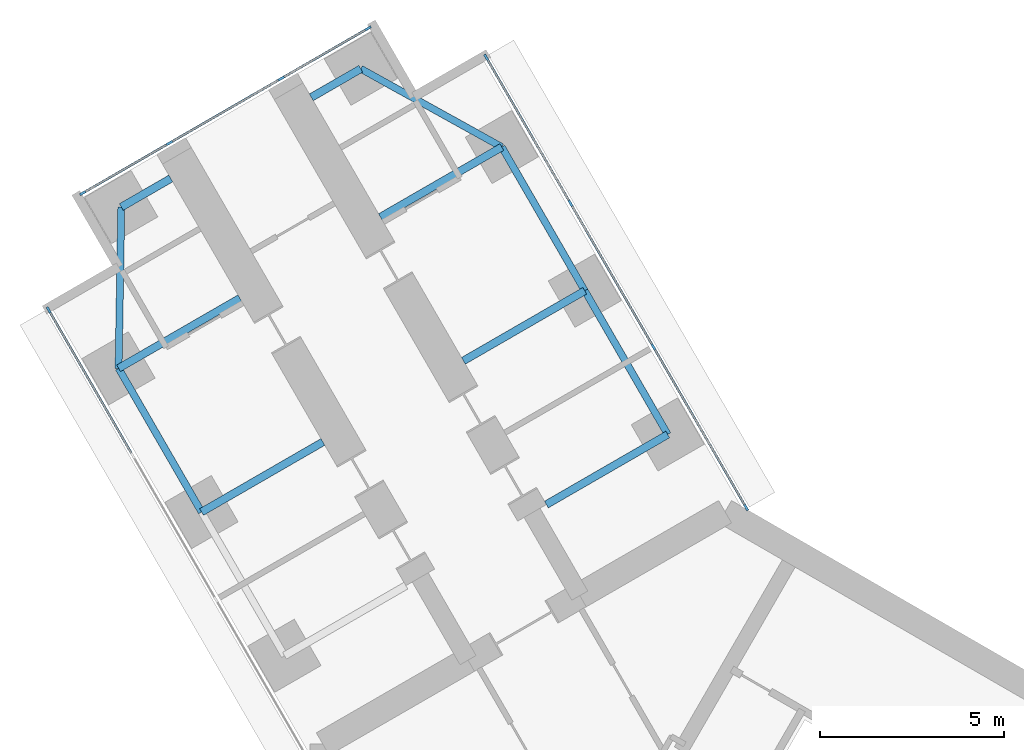
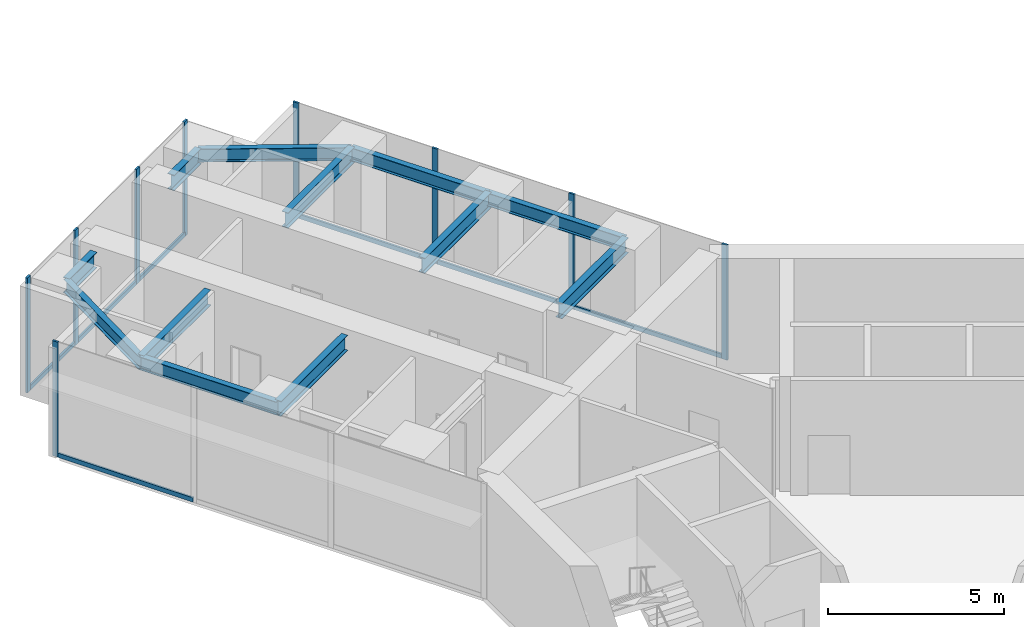
# One storey, part 7 of 24: 16 members, 12 beams, 3 elements without a shape of their own.
"""IFC4 building model written with IfcOpenShell, lengths in metres."""

from ifc_helpers import new_model, si_unit, direction, frame, origin, origin_2d, place, context, subcontext, project, spatial, rectangle, i_section, extrude, material, material_profile, profile_set, type_object, element, aggregate, save


model = new_model("IFC4")

# Units and contexts
model_context = context("Model", 3, precision=1e-05, world=origin(), true_north=direction((0.0, 1.0)))
body_context = subcontext(model_context, "Body", "Model", "MODEL_VIEW")
ifc_project = project(units=[si_unit("LENGTHUNIT", "METRE"), si_unit("AREAUNIT", "SQUARE_METRE"), si_unit("VOLUMEUNIT", "CUBIC_METRE"), si_unit("PLANEANGLEUNIT", "RADIAN"), si_unit("MASSUNIT", "GRAM", prefix="KILO")], contexts=[model_context])

# Site, building, storey
site_placement = place(None, origin())
site = spatial("IfcSite", under=ifc_project, at=site_placement, CompositionType="ELEMENT")
building_placement = place(site_placement, origin())
building = spatial("IfcBuilding", under=site, at=building_placement, Name="Upepo Twin Towers", CompositionType="ELEMENT")
storey_placement = place(building_placement, frame((0.0, 0.0, 48.5)))
storey = spatial("IfcBuildingStorey", under=building, at=storey_placement, Name="L11", CompositionType="ELEMENT", Elevation=48.5)

# Beams
ifc_material_1 = material(Name="Steel S355", Category="steel")
ifc_material_profile_1 = material_profile(ifc_material_1, i_section(OverallWidth=0.1904296875, OverallDepth=0.45703125, WebThickness=0.009033203125, FlangeThickness=0.014404296875, FilletRadius=0.01025390625, at=origin_2d()), Name="UB 457x191x74")
ifc_profile_set_1 = profile_set([ifc_material_profile_1], Name="Steel S355")
beam_type_1 = type_object("IfcBeamType", Name="Beam UB 457x191x74", PredefinedType="BEAM", material=ifc_profile_set_1)
beam_1_placement = place(storey_placement, frame((-14.196044921875, 12.58837890625, 3.571533203125), z_axis=(-0.499990139034, 0.866031096941, 0.0), x_axis=(-0.866031096941, -0.499990139034, 0.0)))
element("IfcBeam", 1, at=beam_1_placement, inside=storey, type_object=beam_type_1, Name="T1 edge beam BL 18.0-22.5", PredefinedType="BEAM", context=body_context, shape_type="SweptSolid", body=[
    extrude(i_section(OverallWidth=0.1904296875, OverallDepth=0.45703125, WebThickness=0.009033203125, FlangeThickness=0.014404296875, FilletRadius=0.01025390625, at=origin_2d()), origin(), (0.0, 0.0, 1.0), 4.5),
])
beam_2_placement = place(storey_placement, frame((-16.446044921875, 16.485595703125, 3.571533203125), z_axis=(0.016803880528, 0.999858804832, 0.0), x_axis=(-0.999858804832, 0.016803880528, 0.0)))
element("IfcBeam", 2, at=beam_2_placement, inside=storey, type_object=beam_type_1, Name="T1 nose edge beam BL", PredefinedType="BEAM", context=body_context, shape_type="SweptSolid", body=[
    extrude(i_section(OverallWidth=0.1904296875, OverallDepth=0.45703125, WebThickness=0.009033203125, FlangeThickness=0.014404296875, FilletRadius=0.01025390625, at=origin_2d()), origin(), (0.0, 0.0, 1.0), 4.373291015625),
])
beam_3_placement = place(storey_placement, frame((-1.553955078125, 14.69140625, 3.571533203125), z_axis=(-0.500013631625, 0.866017533419, 0.0), x_axis=(-0.866017533419, -0.500013631625, 0.0)))
element("IfcBeam", 3, at=beam_3_placement, inside=storey, type_object=beam_type_1, Name="T1 edge beam BR 13.5-18.0", PredefinedType="BEAM", context=body_context, shape_type="SweptSolid", body=[
    extrude(i_section(OverallWidth=0.1904296875, OverallDepth=0.45703125, WebThickness=0.009033203125, FlangeThickness=0.014404296875, FilletRadius=0.01025390625, at=origin_2d()), origin(), (0.0, 0.0, 1.0), 4.499755859375),
])
beam_4_placement = place(storey_placement, frame((-3.803955078125, 18.58837890625, 3.571533203125), z_axis=(-0.499990139034, 0.866031096941, 0.0), x_axis=(-0.866031096941, -0.499990139034, 0.0)))
element("IfcBeam", 4, at=beam_4_placement, inside=storey, type_object=beam_type_1, Name="T1 edge beam BR 18.0-22.5", PredefinedType="BEAM", context=body_context, shape_type="SweptSolid", body=[
    extrude(i_section(OverallWidth=0.1904296875, OverallDepth=0.45703125, WebThickness=0.009033203125, FlangeThickness=0.014404296875, FilletRadius=0.01025390625, at=origin_2d()), origin(), (0.0, 0.0, 1.0), 4.5),
])
beam_5_placement = place(storey_placement, frame((-6.053955078125, 22.485595703125, 3.571533203125), z_axis=(-0.874312600038, 0.485363242752, 0.0), x_axis=(-0.485363242752, -0.874312600038, 0.0)))
element("IfcBeam", 5, at=beam_5_placement, inside=storey, type_object=beam_type_1, Name="T1 nose edge beam BR", PredefinedType="BEAM", context=body_context, shape_type="SweptSolid", body=[
    extrude(i_section(OverallWidth=0.1904296875, OverallDepth=0.45703125, WebThickness=0.009033203125, FlangeThickness=0.014404296875, FilletRadius=0.01025390625, at=origin_2d()), origin(), (0.0, 0.0, 1.0), 4.373046875),
])
ifc_material_2 = material(Name="Steel S355", Category="steel")
ifc_material_profile_2 = material_profile(ifc_material_2, i_section(OverallWidth=0.2119140625, OverallDepth=0.54443359375, WebThickness=0.0126953125, FlangeThickness=0.021240234375, FilletRadius=0.0126953125, at=origin_2d()), Name="UB 533x210x122")
ifc_profile_set_2 = profile_set([ifc_material_profile_2], Name="Steel S355")
beam_type_2 = type_object("IfcBeamType", Name="Beam UB 533x210x122", PredefinedType="BEAM", material=ifc_profile_set_2)
for number, where, z_axis, x_axis, name in (
    (6, (-16.37255859375, 20.858154296875, 3.52783203125), (0.866043940782, 0.499967891604, 0.0), (-0.499967891604, 0.866043940782, 0.0), "T1 nose beam BL"),
    (7, (-9.87744140625, 24.608154296875, 3.52783203125), (-0.866043940782, -0.499967891604, 0.0), (0.499967891604, -0.866043940782, 0.0), "T1 nose beam BR"),
):
    element("IfcBeam", number, at=place(storey_placement, frame(where, z_axis=z_axis, x_axis=x_axis)), inside=storey, type_object=beam_type_2, Name=name, PredefinedType="BEAM", context=body_context, shape_type="SweptSolid", body=[
        extrude(i_section(OverallWidth=0.2119140625, OverallDepth=0.54443359375, WebThickness=0.0126953125, FlangeThickness=0.021240234375, FilletRadius=0.0126953125, at=origin_2d()), origin(), (0.0, 0.0, 1.0), 1.5498046875),
    ])
ifc_material_3 = material(Name="Steel S355", Category="steel")
ifc_material_profile_3 = material_profile(ifc_material_3, i_section(OverallWidth=0.209228515625, OverallDepth=0.533203125, WebThickness=0.010009765625, FlangeThickness=0.015625, FilletRadius=0.0126953125, at=origin_2d()), Name="UB 533x210x92")
ifc_profile_set_3 = profile_set([ifc_material_profile_3], Name="Steel S355")
beam_type_3 = type_object("IfcBeamType", Name="Beam UB 533x210x92", PredefinedType="BEAM", material=ifc_profile_set_3)
beam_6_placement = place(storey_placement, frame((-14.196044921875, 12.58837890625, 3.533447265625), z_axis=(0.866000483506, 0.500043160704, 0.0), x_axis=(-0.500043160704, 0.866000483506, 0.0)))
element("IfcBeam", 8, at=beam_6_placement, inside=storey, type_object=beam_type_3, Name="T1 girder BL at 18.0", PredefinedType="BEAM", context=body_context, shape_type="SweptSolid", body=[
    extrude(i_section(OverallWidth=0.209228515625, OverallDepth=0.533203125, WebThickness=0.010009765625, FlangeThickness=0.015625, FilletRadius=0.0126953125, at=origin_2d()), origin(), (0.0, 0.0, 1.0), 3.800048828125),
])
beam_7_placement = place(storey_placement, frame((-16.446044921875, 16.485595703125, 3.533447265625), z_axis=(0.866028304915, 0.499994975061, 0.0), x_axis=(-0.499994975061, 0.866028304915, 0.0)))
element("IfcBeam", 9, at=beam_7_placement, inside=storey, type_object=beam_type_3, Name="T1 girder BL at 22.5", PredefinedType="BEAM", context=body_context, shape_type="SweptSolid", body=[
    extrude(i_section(OverallWidth=0.209228515625, OverallDepth=0.533203125, WebThickness=0.010009765625, FlangeThickness=0.015625, FilletRadius=0.0126953125, at=origin_2d()), origin(), (0.0, 0.0, 1.0), 3.7998046875),
])
beam_8_placement = place(storey_placement, frame((-1.553955078125, 14.69140625, 3.533447265625), z_axis=(-0.866000483506, -0.500043160704, 0.0), x_axis=(0.500043160704, -0.866000483506, 0.0)))
element("IfcBeam", 10, at=beam_8_placement, inside=storey, type_object=beam_type_3, Name="T1 girder BR at 13.5", PredefinedType="BEAM", context=body_context, shape_type="SweptSolid", body=[
    extrude(i_section(OverallWidth=0.209228515625, OverallDepth=0.533203125, WebThickness=0.010009765625, FlangeThickness=0.015625, FilletRadius=0.0126953125, at=origin_2d()), origin(), (0.0, 0.0, 1.0), 3.800048828125),
])
for number, where, z_axis, x_axis, name in (
    (11, (-3.803955078125, 18.58837890625, 3.533447265625), (-0.866028304915, -0.499994975061, 0.0), (0.499994975061, -0.866028304915, 0.0), "T1 girder BR at 18.0"),
    (12, (-6.053955078125, 22.485595703125, 3.533447265625), (-0.866028304915, -0.499994975061, 0.0), (0.499994975061, -0.866028304915, 0.0), "T1 girder BR at 22.5"),
):
    element("IfcBeam", number, at=place(storey_placement, frame(where, z_axis=z_axis, x_axis=x_axis)), inside=storey, type_object=beam_type_3, Name=name, PredefinedType="BEAM", context=body_context, shape_type="SweptSolid", body=[
        extrude(i_section(OverallWidth=0.209228515625, OverallDepth=0.533203125, WebThickness=0.010009765625, FlangeThickness=0.015625, FilletRadius=0.0126953125, at=origin_2d()), origin(), (0.0, 0.0, 1.0), 3.7998046875),
    ])

# Curtain wall, member
ifc_material_4 = material(Name="Aluminium and fritted glass", Category="aluminium")
curtain_wall_type = type_object("IfcCurtainWallType", Name="Tower curtain wall TW1, fritted glass", PredefinedType="NOTDEFINED", material=ifc_material_4)
curtain_wall_1_placement = place(storey_placement, origin())
curtain_wall_1 = element("IfcCurtainWall", 13, at=curtain_wall_1_placement, inside=storey, type_object=curtain_wall_type, Name="T1 L11 wing B flank L curtain wall", PredefinedType="NOTDEFINED")
ifc_material_5 = material(Name="Aluminium mullion", Category="aluminium")
ifc_material_profile_4 = material_profile(ifc_material_5, rectangle(XDim=0.06494140625, YDim=0.179931640625, at=origin_2d()), Name="MULLION 65x180")
ifc_profile_set_4 = profile_set([ifc_material_profile_4], Name="Aluminium mullion")
member_type_1 = type_object("IfcMemberType", Name="Mullion 65x180 TW1", PredefinedType="MULLION", material=ifc_profile_set_4)
member_1_placement = place(storey_placement, frame((-18.341064453125, 18.067626953125, 0.0), z_axis=(0.0, 0.0, 1.0), x_axis=(-0.866025389682, -0.500000024426, 0.0)))
member_1 = element("IfcMember", 14, at=member_1_placement, type_object=member_type_1, Name="T1 L11 wing B flank L curtain wall mullion 4", PredefinedType="MULLION", context=body_context, shape_type="SweptSolid", body=[
    extrude(rectangle(XDim=0.06494140625, YDim=0.179931640625, at=origin_2d()), origin(), (0.0, 0.0, 1.0), 4.0),
])

# Curtain wall, members
curtain_wall_2_placement = place(storey_placement, origin())
curtain_wall_2 = element("IfcCurtainWall", 15, at=curtain_wall_2_placement, inside=storey, type_object=curtain_wall_type, Name="T1 L11 wing B flank R curtain wall", PredefinedType="NOTDEFINED")
member_2_placement = place(storey_placement, frame((-6.4765625, 24.91748046875, 0.0), z_axis=(0.0, 0.0, 1.0), x_axis=(0.866025389682, 0.500000024426, 0.0)))
member_2 = element("IfcMember", 16, at=member_2_placement, type_object=member_type_1, Name="T1 L11 wing B flank R curtain wall mullion 1", PredefinedType="MULLION", context=body_context, shape_type="SweptSolid", body=[
    extrude(rectangle(XDim=0.06494140625, YDim=0.179931640625, at=origin_2d()), origin(), (0.0, 0.0, 1.0), 4.0),
])
member_3_placement = place(storey_placement, frame((-4.192626953125, 20.9619140625, 0.0), z_axis=(0.0, 0.0, 1.0), x_axis=(0.866025389682, 0.500000024426, 0.0)))
member_3 = element("IfcMember", 17, at=member_3_placement, type_object=member_type_1, Name="T1 L11 wing B flank R curtain wall mullion 2", PredefinedType="MULLION", context=body_context, shape_type="SweptSolid", body=[
    extrude(rectangle(XDim=0.06494140625, YDim=0.179931640625, at=origin_2d()), origin(), (0.0, 0.0, 1.0), 4.0),
])
member_4_placement = place(storey_placement, frame((-1.942626953125, 17.06494140625, 0.0), z_axis=(0.0, 0.0, 1.0), x_axis=(0.866025389682, 0.500000024426, 0.0)))
member_4 = element("IfcMember", 18, at=member_4_placement, type_object=member_type_1, Name="T1 L11 wing B flank R curtain wall mullion 3", PredefinedType="MULLION", context=body_context, shape_type="SweptSolid", body=[
    extrude(rectangle(XDim=0.06494140625, YDim=0.179931640625, at=origin_2d()), origin(), (0.0, 0.0, 1.0), 4.0),
])
member_5_placement = place(storey_placement, frame((0.572509765625, 12.70849609375, 0.0), z_axis=(0.0, 0.0, 1.0), x_axis=(0.866025389682, 0.500000024426, 0.0)))
member_5 = element("IfcMember", 19, at=member_5_placement, type_object=member_type_1, Name="T1 L11 wing B flank R curtain wall mullion 4", PredefinedType="MULLION", context=body_context, shape_type="SweptSolid", body=[
    extrude(rectangle(XDim=0.06494140625, YDim=0.179931640625, at=origin_2d()), origin(), (0.0, 0.0, 1.0), 4.0),
])

curtain_wall_3_placement = place(storey_placement, origin())
curtain_wall_3 = element("IfcCurtainWall", 20, at=curtain_wall_3_placement, inside=storey, type_object=curtain_wall_type, Name="T1 L11 wing B nose curtain wall", PredefinedType="NOTDEFINED")
member_6_placement = place(storey_placement, frame((-9.68115234375, 25.703125, 0.0), z_axis=(0.0, 0.0, 1.0), x_axis=(0.500000030502, -0.866025386174, 0.0)))
member_6 = element("IfcMember", 21, at=member_6_placement, type_object=member_type_1, Name="T1 L11 wing B nose curtain wall mullion 1", PredefinedType="MULLION", context=body_context, shape_type="SweptSolid", body=[
    extrude(rectangle(XDim=0.06494140625, YDim=0.179931640625, at=origin_2d()), origin(), (0.0, 0.0, 1.0), 4.0),
])
member_7_placement = place(storey_placement, frame((-12.034423828125, 24.34423828125, 0.0), z_axis=(0.0, 0.0, 1.0), x_axis=(0.500000030502, -0.866025386174, 0.0)))
member_7 = element("IfcMember", 22, at=member_7_placement, type_object=member_type_1, Name="T1 L11 wing B nose curtain wall mullion 2", PredefinedType="MULLION", context=body_context, shape_type="SweptSolid", body=[
    extrude(rectangle(XDim=0.06494140625, YDim=0.179931640625, at=origin_2d()), origin(), (0.0, 0.0, 1.0), 4.0),
])
member_8_placement = place(storey_placement, frame((-15.0654296875, 22.59423828125, 0.0), z_axis=(0.0, 0.0, 1.0), x_axis=(0.500000030502, -0.866025386174, 0.0)))
member_8 = element("IfcMember", 23, at=member_8_placement, type_object=member_type_1, Name="T1 L11 wing B nose curtain wall mullion 3", PredefinedType="MULLION", context=body_context, shape_type="SweptSolid", body=[
    extrude(rectangle(XDim=0.06494140625, YDim=0.179931640625, at=origin_2d()), origin(), (0.0, 0.0, 1.0), 4.0),
])
member_9_placement = place(storey_placement, frame((-17.4189453125, 21.235595703125, 0.0), z_axis=(0.0, 0.0, 1.0), x_axis=(0.500000030502, -0.866025386174, 0.0)))
member_9 = element("IfcMember", 24, at=member_9_placement, type_object=member_type_1, Name="T1 L11 wing B nose curtain wall mullion 4", PredefinedType="MULLION", context=body_context, shape_type="SweptSolid", body=[
    extrude(rectangle(XDim=0.06494140625, YDim=0.179931640625, at=origin_2d()), origin(), (0.0, 0.0, 1.0), 4.0),
])

# Member
ifc_material_6 = material(Name="Aluminium transom", Category="aluminium")
ifc_material_profile_5 = material_profile(ifc_material_6, rectangle(XDim=0.06494140625, YDim=0.14990234375, at=origin_2d()), Name="TRANSOM 65x150")
ifc_profile_set_5 = profile_set([ifc_material_profile_5], Name="Aluminium transom")
member_type_2 = type_object("IfcMemberType", Name="Transom 65x150 TW1", PredefinedType="USERDEFINED", material=ifc_profile_set_5)
member_10_placement = place(storey_placement, frame((-16.073486328125, 14.14013671875, 0.074951171875), z_axis=(-0.499982167615, 0.866035699072, 0.0), x_axis=(-0.866035699072, -0.499982167615, 0.0)))
member_10 = element("IfcMember", 25, at=member_10_placement, type_object=member_type_2, Name="T1 L11 wing B flank L curtain wall transom 3", ObjectType="TRANSOM", PredefinedType="USERDEFINED", context=body_context, shape_type="SweptSolid", body=[
    extrude(rectangle(XDim=0.06494140625, YDim=0.14990234375, at=origin_2d()), origin(), (0.0, 0.0, 1.0), 4.502685546875),
])

aggregate(curtain_wall_1, [member_1, member_10])

member_11_placement = place(storey_placement, frame((-6.460205078125, 24.889404296875, 0.074951171875), z_axis=(0.500005646842, -0.866022143554, 0.0), x_axis=(0.866022143554, 0.500005646842, 0.0)))
member_11 = element("IfcMember", 26, at=member_11_placement, type_object=member_type_2, Name="T1 L11 wing B flank R curtain wall transom 1", ObjectType="TRANSOM", PredefinedType="USERDEFINED", context=body_context, shape_type="SweptSolid", body=[
    extrude(rectangle(XDim=0.06494140625, YDim=0.14990234375, at=origin_2d()), origin(), (0.0, 0.0, 1.0), 4.50244140625),
])

member_12_placement = place(storey_placement, frame((-4.176513671875, 20.933837890625, 0.074951171875), z_axis=(0.500005184116, -0.866022410713, 0.0), x_axis=(0.866022410713, 0.500005184116, 0.0)))
member_12 = element("IfcMember", 27, at=member_12_placement, type_object=member_type_2, Name="T1 L11 wing B flank R curtain wall transom 2", ObjectType="TRANSOM", PredefinedType="USERDEFINED", context=body_context, shape_type="SweptSolid", body=[
    extrude(rectangle(XDim=0.06494140625, YDim=0.14990234375, at=origin_2d()), origin(), (0.0, 0.0, 1.0), 4.43505859375),
])

member_13_placement = place(storey_placement, frame((-1.926513671875, 17.036865234375, 0.074951171875), z_axis=(0.499983492876, -0.866034933967, 0.0), x_axis=(0.866034933967, 0.499983492876, 0.0)))
member_13 = element("IfcMember", 28, at=member_13_placement, type_object=member_type_2, Name="T1 L11 wing B flank R curtain wall transom 3", ObjectType="TRANSOM", PredefinedType="USERDEFINED", context=body_context, shape_type="SweptSolid", body=[
    extrude(rectangle(XDim=0.06494140625, YDim=0.14990234375, at=origin_2d()), origin(), (0.0, 0.0, 1.0), 4.965576171875),
])

aggregate(curtain_wall_2, [member_2, member_3, member_4, member_5, member_11, member_12, member_13])

member_14_placement = place(storey_placement, frame((-9.709228515625, 25.686767578125, 0.074951171875), z_axis=(-0.866036909293, -0.499980071345, 0.0), x_axis=(0.499980071345, -0.866036909293, 0.0)))
member_14 = element("IfcMember", 29, at=member_14_placement, type_object=member_type_2, Name="T1 L11 wing B nose curtain wall transom 1", ObjectType="TRANSOM", PredefinedType="USERDEFINED", context=body_context, shape_type="SweptSolid", body=[
    extrude(rectangle(XDim=0.06494140625, YDim=0.14990234375, at=origin_2d()), origin(), (0.0, 0.0, 1.0), 2.65234375),
])

member_15_placement = place(storey_placement, frame((-12.0625, 24.328125, 0.074951171875), z_axis=(-0.866025804792, -0.499999305434, 0.0), x_axis=(0.499999305434, -0.866025804792, 0.0)))
member_15 = element("IfcMember", 30, at=member_15_placement, type_object=member_type_2, Name="T1 L11 wing B nose curtain wall transom 2", ObjectType="TRANSOM", PredefinedType="USERDEFINED", context=body_context, shape_type="SweptSolid", body=[
    extrude(rectangle(XDim=0.06494140625, YDim=0.14990234375, at=origin_2d()), origin(), (0.0, 0.0, 1.0), 3.43505859375),
])

member_16_placement = place(storey_placement, frame((-15.09375, 22.578125, 0.074951171875), z_axis=(-0.865997053448, -0.500049101008, 0.0), x_axis=(0.500049101008, -0.865997053448, 0.0)))
member_16 = element("IfcMember", 31, at=member_16_placement, type_object=member_type_2, Name="T1 L11 wing B nose curtain wall transom 3", ObjectType="TRANSOM", PredefinedType="USERDEFINED", context=body_context, shape_type="SweptSolid", body=[
    extrude(rectangle(XDim=0.06494140625, YDim=0.14990234375, at=origin_2d()), origin(), (0.0, 0.0, 1.0), 2.652587890625),
])

aggregate(curtain_wall_3, [member_6, member_7, member_8, member_9, member_14, member_15, member_16])

save(model, "model.ifc")
